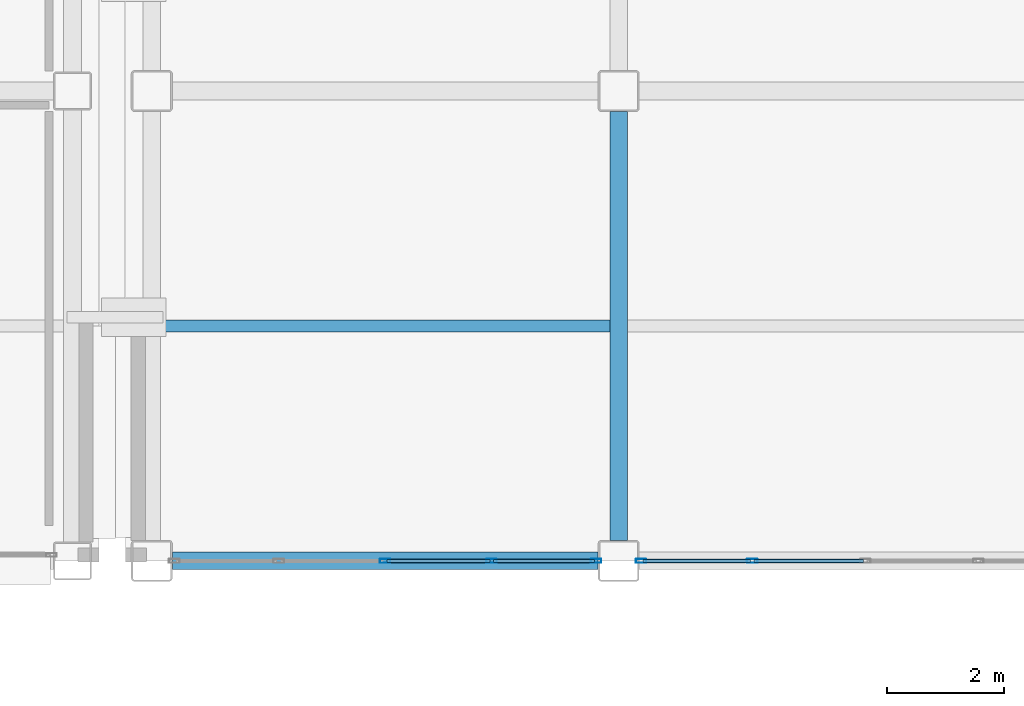
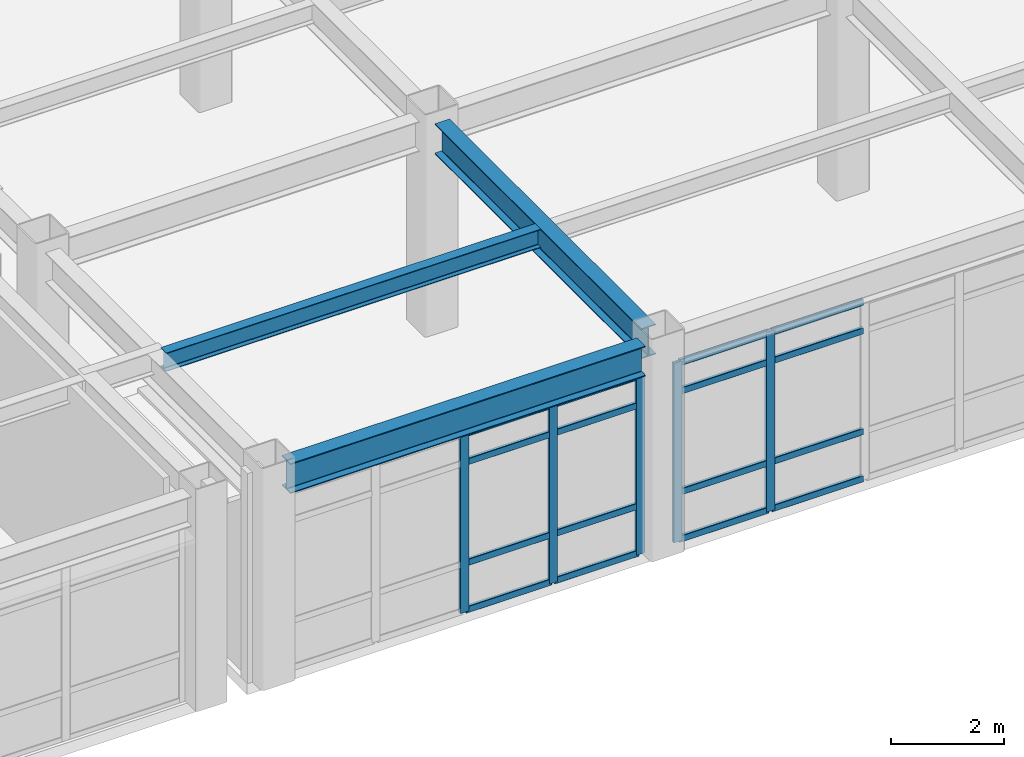
# One storey, part 48 of 172: 21 members, 3 beams, 2 elements without a shape of their own.
"""IFC4 building model written with IfcOpenShell, lengths in metres."""

from ifc_helpers import new_model, si_unit, direction, frame, origin, origin_2d, place, context, subcontext, project, spatial, hollow_rectangle, i_section, extrude, material, layer, layer_set, material_profile, profile_set, type_object, element, aggregate, save


model = new_model("IFC4")

# Units and contexts
model_context = context("Model", 3, precision=1e-05, world=origin(), true_north=direction((0.0, 1.0)))
body_context = subcontext(model_context, "Body", "Model", "MODEL_VIEW")
ifc_project = project(units=[si_unit("LENGTHUNIT", "METRE"), si_unit("AREAUNIT", "SQUARE_METRE"), si_unit("VOLUMEUNIT", "CUBIC_METRE"), si_unit("PLANEANGLEUNIT", "RADIAN"), si_unit("MASSUNIT", "GRAM", prefix="KILO")], contexts=[model_context])

# Site, building, storey
site_placement = place(None, origin())
site = spatial("IfcSite", under=ifc_project, at=site_placement, CompositionType="ELEMENT")
building_placement = place(site_placement, origin())
building = spatial("IfcBuilding", under=site, at=building_placement, Name="Kazehara Bluff Congress Hotel", CompositionType="ELEMENT")
storey_placement = place(building_placement, frame((0.0, 0.0, 5.39990234375)))
storey = spatial("IfcBuildingStorey", under=building, at=storey_placement, Name="L01", CompositionType="ELEMENT", Elevation=5.39990234375)

# Curtain wall, members
ifc_material_1 = material(Name="Anodised aluminium", Category="aluminium")
ifc_layer_1 = layer(ifc_material_1, 0.159912109375)
ifc_layer_set_1 = layer_set([ifc_layer_1], Name="Anodised aluminium")
curtain_wall_type_1 = type_object("IfcCurtainWallType", Name="TP-CW-78", PredefinedType="NOTDEFINED", material=ifc_layer_set_1)
curtain_wall_1_placement = place(storey_placement, origin())
curtain_wall_1 = element("IfcCurtainWall", 1, at=curtain_wall_1_placement, inside=storey, type_object=curtain_wall_type_1, Name="L01 curtain wall CW-78 CW-V5-L01-Y1600-11090", PredefinedType="NOTDEFINED")
ifc_material_2 = material(Name="Anodised aluminium", Category="aluminium")
ifc_material_profile_1 = material_profile(ifc_material_2, hollow_rectangle(XDim=0.06494140625, YDim=0.179931640625, WallThickness=0.00390625, InnerFilletRadius=0.00390625, OuterFilletRadius=0.008056640625, at=origin_2d()))
ifc_profile_set_1 = profile_set([ifc_material_profile_1], Name="Anodised aluminium")
member_type_1 = type_object("IfcMemberType", Name="TP-CWM-02", PredefinedType="MULLION", material=ifc_profile_set_1)
member_1_placement = place(storey_placement, frame((114.52490234375, 16.0, 0.0), z_axis=(0.0, 0.0, 1.0), x_axis=(0.0, 1.0, 0.0)))
member_1 = element("IfcMember", 2, at=member_1_placement, type_object=member_type_1, Name="CW-78 mullion 3", PredefinedType="MULLION", context=body_context, shape_type="SweptSolid", body=[
    extrude(hollow_rectangle(XDim=0.06494140625, YDim=0.179931640625, WallThickness=0.00390625, InnerFilletRadius=0.00390625, OuterFilletRadius=0.008056640625, at=origin_2d()), origin(), (0.0, 0.0, 1.0), 3.875),
])
member_2_placement = place(storey_placement, frame((116.33740234375, 16.0, 0.0), z_axis=(0.0, 0.0, 1.0), x_axis=(0.0, 1.0, 0.0)))
member_2 = element("IfcMember", 3, at=member_2_placement, type_object=member_type_1, Name="CW-78 mullion 4", PredefinedType="MULLION", context=body_context, shape_type="SweptSolid", body=[
    extrude(hollow_rectangle(XDim=0.06494140625, YDim=0.179931640625, WallThickness=0.00390625, InnerFilletRadius=0.00390625, OuterFilletRadius=0.008056640625, at=origin_2d()), origin(), (0.0, 0.0, 1.0), 3.875),
])
member_3_placement = place(storey_placement, frame((118.117431640625, 16.0, 0.0), z_axis=(0.0, 0.0, 1.0), x_axis=(0.0, 1.0, 0.0)))
member_3 = element("IfcMember", 4, at=member_3_placement, type_object=member_type_1, Name="CW-78 mullion 5", PredefinedType="MULLION", context=body_context, shape_type="SweptSolid", body=[
    extrude(hollow_rectangle(XDim=0.06494140625, YDim=0.179931640625, WallThickness=0.00390625, InnerFilletRadius=0.00390625, OuterFilletRadius=0.008056640625, at=origin_2d()), origin(), (0.0, 0.0, 1.0), 3.875),
])

ifc_material_3 = material(Name="Anodised aluminium", Category="aluminium")
ifc_layer_2 = layer(ifc_material_3, 0.159912109375)
ifc_layer_set_2 = layer_set([ifc_layer_2], Name="Anodised aluminium")
curtain_wall_type_2 = type_object("IfcCurtainWallType", Name="TP-CW-79", PredefinedType="NOTDEFINED", material=ifc_layer_set_2)
curtain_wall_2_placement = place(storey_placement, origin())
curtain_wall_2 = element("IfcCurtainWall", 5, at=curtain_wall_2_placement, inside=storey, type_object=curtain_wall_type_2, Name="L01 curtain wall CW-79 CW-V5-L01-Y1600-11885", PredefinedType="NOTDEFINED")
member_4_placement = place(storey_placement, frame((118.882568359375, 16.0, 0.0), z_axis=(0.0, 0.0, 1.0), x_axis=(0.0, 1.0, 0.0)))
member_4 = element("IfcMember", 6, at=member_4_placement, type_object=member_type_1, Name="CW-79 mullion 1", PredefinedType="MULLION", context=body_context, shape_type="SweptSolid", body=[
    extrude(hollow_rectangle(XDim=0.06494140625, YDim=0.179931640625, WallThickness=0.00390625, InnerFilletRadius=0.00390625, OuterFilletRadius=0.008056640625, at=origin_2d()), origin(), (0.0, 0.0, 1.0), 3.875),
])
member_5_placement = place(storey_placement, frame((120.77490234375, 16.0, 0.0), z_axis=(0.0, 0.0, 1.0), x_axis=(0.0, 1.0, 0.0)))
member_5 = element("IfcMember", 7, at=member_5_placement, type_object=member_type_1, Name="CW-79 mullion 2", PredefinedType="MULLION", context=body_context, shape_type="SweptSolid", body=[
    extrude(hollow_rectangle(XDim=0.06494140625, YDim=0.179931640625, WallThickness=0.00390625, InnerFilletRadius=0.00390625, OuterFilletRadius=0.008056640625, at=origin_2d()), origin(), (0.0, 0.0, 1.0), 3.875),
])

# Member
ifc_material_4 = material(Name="Anodised aluminium", Category="aluminium")
ifc_material_profile_2 = material_profile(ifc_material_4, hollow_rectangle(XDim=0.06494140625, YDim=0.139892578125, WallThickness=0.00390625, InnerFilletRadius=0.00390625, OuterFilletRadius=0.008056640625, at=origin_2d()))
ifc_profile_set_2 = profile_set([ifc_material_profile_2], Name="Anodised aluminium")
member_type_2 = type_object("IfcMemberType", Name="TP-CWT-02", PredefinedType="USERDEFINED", material=ifc_profile_set_2)
member_6_placement = place(storey_placement, frame((114.5576171875, 16.0, 0.03271484375), z_axis=(1.0, 0.0, 0.0), x_axis=(0.0, 1.0, 0.0)))
member_6 = element("IfcMember", 8, at=member_6_placement, type_object=member_type_2, Name="CW-78 transom 3.1", ObjectType="TRANSOM", PredefinedType="USERDEFINED", context=body_context, shape_type="SweptSolid", body=[
    extrude(hollow_rectangle(XDim=0.06494140625, YDim=0.139892578125, WallThickness=0.00390625, InnerFilletRadius=0.00390625, OuterFilletRadius=0.008056640625, at=origin_2d()), origin(), (0.0, 0.0, 1.0), 1.747314453125),
])

member_7_placement = place(storey_placement, frame((114.5576171875, 16.0, 1.050048828125), z_axis=(1.0, 0.0, 0.0), x_axis=(0.0, 1.0, 0.0)))
member_7 = element("IfcMember", 9, at=member_7_placement, type_object=member_type_2, Name="CW-78 transom 3.2", ObjectType="TRANSOM", PredefinedType="USERDEFINED", context=body_context, shape_type="SweptSolid", body=[
    extrude(hollow_rectangle(XDim=0.06494140625, YDim=0.139892578125, WallThickness=0.00390625, InnerFilletRadius=0.00390625, OuterFilletRadius=0.008056640625, at=origin_2d()), origin(), (0.0, 0.0, 1.0), 1.747314453125),
])

member_8_placement = place(storey_placement, frame((114.5576171875, 16.0, 3.22509765625), z_axis=(1.0, 0.0, 0.0), x_axis=(0.0, 1.0, 0.0)))
member_8 = element("IfcMember", 10, at=member_8_placement, type_object=member_type_2, Name="CW-78 transom 3.3", ObjectType="TRANSOM", PredefinedType="USERDEFINED", context=body_context, shape_type="SweptSolid", body=[
    extrude(hollow_rectangle(XDim=0.06494140625, YDim=0.139892578125, WallThickness=0.00390625, InnerFilletRadius=0.00390625, OuterFilletRadius=0.008056640625, at=origin_2d()), origin(), (0.0, 0.0, 1.0), 1.747314453125),
])

member_9_placement = place(storey_placement, frame((114.5576171875, 16.0, 3.842529296875), z_axis=(1.0, 0.0, 0.0), x_axis=(0.0, 1.0, 0.0)))
member_9 = element("IfcMember", 11, at=member_9_placement, type_object=member_type_2, Name="CW-78 transom 3.4", ObjectType="TRANSOM", PredefinedType="USERDEFINED", context=body_context, shape_type="SweptSolid", body=[
    extrude(hollow_rectangle(XDim=0.06494140625, YDim=0.139892578125, WallThickness=0.00390625, InnerFilletRadius=0.00390625, OuterFilletRadius=0.008056640625, at=origin_2d()), origin(), (0.0, 0.0, 1.0), 1.747314453125),
])

member_10_placement = place(storey_placement, frame((116.3701171875, 16.0, 0.03271484375), z_axis=(1.0, 0.0, 0.0), x_axis=(0.0, 1.0, 0.0)))
member_10 = element("IfcMember", 12, at=member_10_placement, type_object=member_type_2, Name="CW-78 transom 4.1", ObjectType="TRANSOM", PredefinedType="USERDEFINED", context=body_context, shape_type="SweptSolid", body=[
    extrude(hollow_rectangle(XDim=0.06494140625, YDim=0.139892578125, WallThickness=0.00390625, InnerFilletRadius=0.00390625, OuterFilletRadius=0.008056640625, at=origin_2d()), origin(), (0.0, 0.0, 1.0), 1.71484375),
])

member_11_placement = place(storey_placement, frame((116.3701171875, 16.0, 1.050048828125), z_axis=(1.0, 0.0, 0.0), x_axis=(0.0, 1.0, 0.0)))
member_11 = element("IfcMember", 13, at=member_11_placement, type_object=member_type_2, Name="CW-78 transom 4.2", ObjectType="TRANSOM", PredefinedType="USERDEFINED", context=body_context, shape_type="SweptSolid", body=[
    extrude(hollow_rectangle(XDim=0.06494140625, YDim=0.139892578125, WallThickness=0.00390625, InnerFilletRadius=0.00390625, OuterFilletRadius=0.008056640625, at=origin_2d()), origin(), (0.0, 0.0, 1.0), 1.71484375),
])

member_12_placement = place(storey_placement, frame((116.3701171875, 16.0, 3.22509765625), z_axis=(1.0, 0.0, 0.0), x_axis=(0.0, 1.0, 0.0)))
member_12 = element("IfcMember", 14, at=member_12_placement, type_object=member_type_2, Name="CW-78 transom 4.3", ObjectType="TRANSOM", PredefinedType="USERDEFINED", context=body_context, shape_type="SweptSolid", body=[
    extrude(hollow_rectangle(XDim=0.06494140625, YDim=0.139892578125, WallThickness=0.00390625, InnerFilletRadius=0.00390625, OuterFilletRadius=0.008056640625, at=origin_2d()), origin(), (0.0, 0.0, 1.0), 1.71484375),
])

member_13_placement = place(storey_placement, frame((116.3701171875, 16.0, 3.842529296875), z_axis=(1.0, 0.0, 0.0), x_axis=(0.0, 1.0, 0.0)))
member_13 = element("IfcMember", 15, at=member_13_placement, type_object=member_type_2, Name="CW-78 transom 4.4", ObjectType="TRANSOM", PredefinedType="USERDEFINED", context=body_context, shape_type="SweptSolid", body=[
    extrude(hollow_rectangle(XDim=0.06494140625, YDim=0.139892578125, WallThickness=0.00390625, InnerFilletRadius=0.00390625, OuterFilletRadius=0.008056640625, at=origin_2d()), origin(), (0.0, 0.0, 1.0), 1.71484375),
])

aggregate(curtain_wall_1, [member_1, member_2, member_3, member_6, member_7, member_8, member_9, member_10, member_11, member_12, member_13])

member_14_placement = place(storey_placement, frame((118.9150390625, 16.0, 0.03271484375), z_axis=(1.0, 0.0, 0.0), x_axis=(0.0, 1.0, 0.0)))
member_14 = element("IfcMember", 16, at=member_14_placement, type_object=member_type_2, Name="CW-79 transom 1.1", ObjectType="TRANSOM", PredefinedType="USERDEFINED", context=body_context, shape_type="SweptSolid", body=[
    extrude(hollow_rectangle(XDim=0.06494140625, YDim=0.139892578125, WallThickness=0.00390625, InnerFilletRadius=0.00390625, OuterFilletRadius=0.008056640625, at=origin_2d()), origin(), (0.0, 0.0, 1.0), 1.827392578125),
])

member_15_placement = place(storey_placement, frame((118.9150390625, 16.0, 1.050048828125), z_axis=(1.0, 0.0, 0.0), x_axis=(0.0, 1.0, 0.0)))
member_15 = element("IfcMember", 17, at=member_15_placement, type_object=member_type_2, Name="CW-79 transom 1.2", ObjectType="TRANSOM", PredefinedType="USERDEFINED", context=body_context, shape_type="SweptSolid", body=[
    extrude(hollow_rectangle(XDim=0.06494140625, YDim=0.139892578125, WallThickness=0.00390625, InnerFilletRadius=0.00390625, OuterFilletRadius=0.008056640625, at=origin_2d()), origin(), (0.0, 0.0, 1.0), 1.827392578125),
])

member_16_placement = place(storey_placement, frame((118.9150390625, 16.0, 3.22509765625), z_axis=(1.0, 0.0, 0.0), x_axis=(0.0, 1.0, 0.0)))
member_16 = element("IfcMember", 18, at=member_16_placement, type_object=member_type_2, Name="CW-79 transom 1.3", ObjectType="TRANSOM", PredefinedType="USERDEFINED", context=body_context, shape_type="SweptSolid", body=[
    extrude(hollow_rectangle(XDim=0.06494140625, YDim=0.139892578125, WallThickness=0.00390625, InnerFilletRadius=0.00390625, OuterFilletRadius=0.008056640625, at=origin_2d()), origin(), (0.0, 0.0, 1.0), 1.827392578125),
])

member_17_placement = place(storey_placement, frame((118.9150390625, 16.0, 3.842529296875), z_axis=(1.0, 0.0, 0.0), x_axis=(0.0, 1.0, 0.0)))
member_17 = element("IfcMember", 19, at=member_17_placement, type_object=member_type_2, Name="CW-79 transom 1.4", ObjectType="TRANSOM", PredefinedType="USERDEFINED", context=body_context, shape_type="SweptSolid", body=[
    extrude(hollow_rectangle(XDim=0.06494140625, YDim=0.139892578125, WallThickness=0.00390625, InnerFilletRadius=0.00390625, OuterFilletRadius=0.008056640625, at=origin_2d()), origin(), (0.0, 0.0, 1.0), 1.827392578125),
])

member_18_placement = place(storey_placement, frame((120.8076171875, 16.0, 0.03271484375), z_axis=(1.0, 0.0, 0.0), x_axis=(0.0, 1.0, 0.0)))
member_18 = element("IfcMember", 20, at=member_18_placement, type_object=member_type_2, Name="CW-79 transom 2.1", ObjectType="TRANSOM", PredefinedType="USERDEFINED", context=body_context, shape_type="SweptSolid", body=[
    extrude(hollow_rectangle(XDim=0.06494140625, YDim=0.139892578125, WallThickness=0.00390625, InnerFilletRadius=0.00390625, OuterFilletRadius=0.008056640625, at=origin_2d()), origin(), (0.0, 0.0, 1.0), 1.85986328125),
])

member_19_placement = place(storey_placement, frame((120.8076171875, 16.0, 1.050048828125), z_axis=(1.0, 0.0, 0.0), x_axis=(0.0, 1.0, 0.0)))
member_19 = element("IfcMember", 21, at=member_19_placement, type_object=member_type_2, Name="CW-79 transom 2.2", ObjectType="TRANSOM", PredefinedType="USERDEFINED", context=body_context, shape_type="SweptSolid", body=[
    extrude(hollow_rectangle(XDim=0.06494140625, YDim=0.139892578125, WallThickness=0.00390625, InnerFilletRadius=0.00390625, OuterFilletRadius=0.008056640625, at=origin_2d()), origin(), (0.0, 0.0, 1.0), 1.85986328125),
])

member_20_placement = place(storey_placement, frame((120.8076171875, 16.0, 3.22509765625), z_axis=(1.0, 0.0, 0.0), x_axis=(0.0, 1.0, 0.0)))
member_20 = element("IfcMember", 22, at=member_20_placement, type_object=member_type_2, Name="CW-79 transom 2.3", ObjectType="TRANSOM", PredefinedType="USERDEFINED", context=body_context, shape_type="SweptSolid", body=[
    extrude(hollow_rectangle(XDim=0.06494140625, YDim=0.139892578125, WallThickness=0.00390625, InnerFilletRadius=0.00390625, OuterFilletRadius=0.008056640625, at=origin_2d()), origin(), (0.0, 0.0, 1.0), 1.85986328125),
])

member_21_placement = place(storey_placement, frame((120.8076171875, 16.0, 3.842529296875), z_axis=(1.0, 0.0, 0.0), x_axis=(0.0, 1.0, 0.0)))
member_21 = element("IfcMember", 23, at=member_21_placement, type_object=member_type_2, Name="CW-79 transom 2.4", ObjectType="TRANSOM", PredefinedType="USERDEFINED", context=body_context, shape_type="SweptSolid", body=[
    extrude(hollow_rectangle(XDim=0.06494140625, YDim=0.139892578125, WallThickness=0.00390625, InnerFilletRadius=0.00390625, OuterFilletRadius=0.008056640625, at=origin_2d()), origin(), (0.0, 0.0, 1.0), 1.85986328125),
])

aggregate(curtain_wall_2, [member_4, member_5, member_14, member_15, member_16, member_17, member_18, member_19, member_20, member_21])

# Beams
ifc_material_5 = material(Name="Steel SN490B", Category="steel")
ifc_material_profile_3 = material_profile(ifc_material_5, i_section(OverallWidth=0.300048828125, OverallDepth=0.64990234375, WebThickness=0.011962890625, FlangeThickness=0.02001953125, FilletRadius=0.012939453125, at=origin_2d()))
ifc_profile_set_3 = profile_set([ifc_material_profile_3], Name="Steel SN490B")
beam_type_1 = type_object("IfcBeamType", Name="TP-G-03", PredefinedType="BEAM", material=ifc_profile_set_3)
beam_1_placement = place(storey_placement, frame((118.5, 16.35009765625, 4.22509765625), z_axis=(0.0, 1.0, 0.0), x_axis=(-1.0, 0.0, 0.0)))
element("IfcBeam", 24, at=beam_1_placement, inside=storey, type_object=beam_type_1, Name="L01 girder G-03 223", PredefinedType="BEAM", context=body_context, shape_type="SweptSolid", body=[
    extrude(i_section(OverallWidth=0.300048828125, OverallDepth=0.64990234375, WebThickness=0.011962890625, FlangeThickness=0.02001953125, FilletRadius=0.012939453125, at=origin_2d()), origin(), (0.0, 0.0, 1.0), 7.2998046875),
])
beam_2_placement = place(storey_placement, frame((110.89990234375, 16.0, 4.22509765625), z_axis=(1.0, 0.0, 0.0), x_axis=(0.0, 1.0, 0.0)))
element("IfcBeam", 25, at=beam_2_placement, inside=storey, type_object=beam_type_1, Name="L01 girder G-03 277", PredefinedType="BEAM", context=body_context, shape_type="SweptSolid", body=[
    extrude(i_section(OverallWidth=0.300048828125, OverallDepth=0.64990234375, WebThickness=0.011962890625, FlangeThickness=0.02001953125, FilletRadius=0.012939453125, at=origin_2d()), origin(), (0.0, 0.0, 1.0), 7.25),
])
ifc_material_6 = material(Name="Steel SN400B", Category="steel")
ifc_material_profile_4 = material_profile(ifc_material_6, i_section(OverallWidth=0.199951171875, OverallDepth=0.39990234375, WebThickness=0.008056640625, FlangeThickness=0.012939453125, FilletRadius=0.012939453125, at=origin_2d()))
ifc_profile_set_4 = profile_set([ifc_material_profile_4], Name="Steel SN400B")
beam_type_2 = type_object("IfcBeamType", Name="TP-J-03", PredefinedType="JOIST", material=ifc_profile_set_4)
beam_3_placement = place(storey_placement, frame((110.699951171875, 20.0, 4.35009765625), z_axis=(1.0, 0.0, 0.0), x_axis=(0.0, 1.0, 0.0)))
element("IfcBeam", 26, at=beam_3_placement, inside=storey, type_object=beam_type_2, Name="L01 secondary joist J-03 55", PredefinedType="JOIST", context=body_context, shape_type="SweptSolid", body=[
    extrude(i_section(OverallWidth=0.199951171875, OverallDepth=0.39990234375, WebThickness=0.008056640625, FlangeThickness=0.012939453125, FilletRadius=0.012939453125, at=origin_2d()), origin(), (0.0, 0.0, 1.0), 7.650146484375),
])

save(model, "model.ifc")
